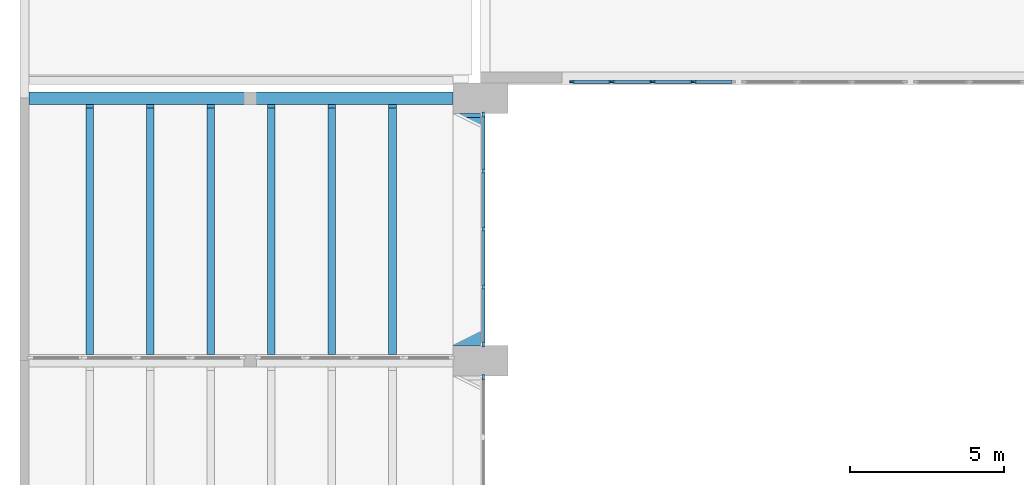
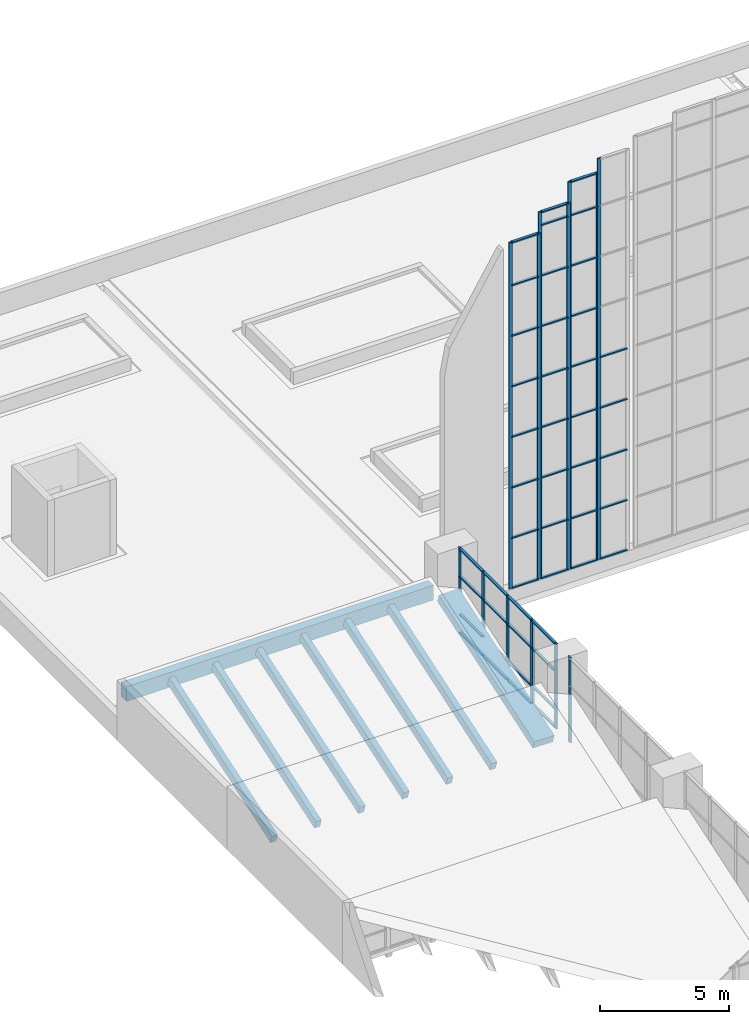
# One storey, part 15 of 43: 60 members, 8 beams, 6 elements without a shape of their own.
"""IFC4 building model written with IfcOpenShell, lengths in metres."""

import ifcopenshell
import ifcopenshell.guid

model = None  # the IFC model being written
_history = None  # IfcOwnerHistory: only IFC2X3 demands one
_inside = {}  # id of a spatial element -> (the spatial element, [elements in it])
_under = {}  # id of a project, library or spatial element -> (it, [spatial elements below it])
_declared = {}  # id of a project -> (the project, [libraries it declares])
_typed = {}  # id of a type object -> (the type object, [elements of that type])
_made_of = {}  # id of a material, layer set ... -> (it, [elements and type objects made of it])


def new_model(schema):
    """Start an empty IFC model of exactly this schema.

    Asked for "IFC4X3", IfcOpenShell would pick the latest addendum, in which some entities
    have other attributes; the version numbers below select the first issue.
    IFC2X3 requires an IfcOwnerHistory on every rooted entity: one is made here for all.
    """
    global model, _history
    if schema == "IFC4X3":
        model = ifcopenshell.file(schema_version=(4, 3, 0, 0))
    else:
        model = ifcopenshell.file(schema=schema)
    _inside.clear()
    _under.clear()
    _declared.clear()
    _typed.clear()
    _made_of.clear()
    _history = None
    if model.schema == "IFC2X3":
        org = make("IfcOrganization", Name="unknown")
        user = make(
            "IfcPersonAndOrganization",
            ThePerson=make("IfcPerson", FamilyName="unknown"),
            TheOrganization=org,
        )
        app = make(
            "IfcApplication",
            ApplicationDeveloper=org,
            Version="unknown",
            ApplicationFullName="unknown",
            ApplicationIdentifier="unknown",
        )
        _history = make(
            "IfcOwnerHistory",
            OwningUser=user,
            OwningApplication=app,
            ChangeAction="ADDED",
            CreationDate=0,
        )
    return model


def make(cls, **values):
    """One entity of the class cls with the attributes given. An attribute that is None is left unset."""
    return model.create_entity(
        cls, **{name: value for name, value in values.items() if value is not None}
    )


def rooted(cls, **values):
    """An entity with a GlobalId (a new one), such as an element, a storey or a relation."""
    return make(cls, GlobalId=ifcopenshell.guid.new(), OwnerHistory=_history, **values)


def si_unit(unit_type, name, prefix=None):
    """IfcSIUnit, for example si_unit("LENGTHUNIT", "METRE", prefix="MILLI")."""
    return make("IfcSIUnit", UnitType=unit_type, Prefix=prefix, Name=name)


def assignment(units):
    """IfcUnitAssignment: the units of a project."""
    return None if units is None else make("IfcUnitAssignment", Units=units)


def point(xyz):
    """IfcCartesianPoint."""
    return None if xyz is None else make("IfcCartesianPoint", Coordinates=xyz)


def direction(xyz):
    """IfcDirection."""
    return None if xyz is None else make("IfcDirection", DirectionRatios=xyz)


def frame(location, z_axis=None, x_axis=None):
    """IfcAxis2Placement3D, a coordinate frame: its origin and axes. An axis left out is left unset."""
    return make(
        "IfcAxis2Placement3D",
        Location=point(location),
        Axis=direction(z_axis),
        RefDirection=direction(x_axis),
    )


def frame_2d(location, x_axis=None):
    """IfcAxis2Placement2D, a coordinate frame in the plane: its origin and x axis."""
    return make(
        "IfcAxis2Placement2D", Location=point(location), RefDirection=direction(x_axis)
    )


def origin():
    """The frame at (0, 0, 0) with its axes left unset."""
    return frame((0.0, 0.0, 0.0))


def origin_2d():
    """The frame at (0, 0) in the plane with its x axis left unset."""
    return frame_2d((0.0, 0.0))


def place(relative_to, where):
    """IfcLocalPlacement: puts the frame where relative to a parent placement (None: the world)."""
    return make(
        "IfcLocalPlacement", PlacementRelTo=relative_to, RelativePlacement=where
    )


def context(
    kind, dimensions, precision=None, world=None, true_north=None, identifier=None
):
    """IfcGeometricRepresentationContext, for example the 3D "Model" context."""
    return make(
        "IfcGeometricRepresentationContext",
        ContextIdentifier=identifier,
        ContextType=kind,
        CoordinateSpaceDimension=dimensions,
        Precision=precision,
        WorldCoordinateSystem=world,
        TrueNorth=true_north,
    )


def subcontext(parent, identifier, kind, view, scale=None):
    """IfcGeometricRepresentationSubContext, for example "Body" below "Model"."""
    return make(
        "IfcGeometricRepresentationSubContext",
        ContextIdentifier=identifier,
        ContextType=kind,
        ParentContext=parent,
        TargetScale=scale,
        TargetView=view,
    )


def project(units=None, contexts=None):
    """IfcProject with its units and contexts."""
    return rooted(
        "IfcProject",
        Name="project",
        RepresentationContexts=contexts,
        UnitsInContext=assignment(units),
    )


def spatial(cls, under=None, at=None, **own):
    """A site, building, storey or space (cls), placed at a placement, below another one or the project."""
    s = rooted(cls, ObjectPlacement=at, **own)
    if under is not None:
        _under.setdefault(under.id(), (under, []))[1].append(s)
    return s


def profile(cls, at=None, kind="AREA", **sizes):
    """A parametric profile (cls). Its sizes go by their IFC names, for example OverallWidth=200.0."""
    return make(cls, ProfileType=kind, Position=at, **sizes)


def rectangle(**sizes):
    """IfcRectangleProfileDef."""
    return profile("IfcRectangleProfileDef", **sizes)


def extrude(swept, where, along, depth):
    """IfcExtrudedAreaSolid: the profile swept, set in the frame where, extruded along a direction by depth."""
    return make(
        "IfcExtrudedAreaSolid",
        SweptArea=swept,
        Position=where,
        ExtrudedDirection=direction(along),
        Depth=depth,
    )


def shape(context_of_items, identifier, shape_type, items):
    """IfcShapeRepresentation: the items that make up one representation, for example the "Body"."""
    return make(
        "IfcShapeRepresentation",
        ContextOfItems=context_of_items,
        RepresentationIdentifier=identifier,
        RepresentationType=shape_type,
        Items=items,
    )


def material(Name=None, Category=None):
    """IfcMaterial."""
    return make("IfcMaterial", Name=Name, Category=Category)


def material_profile(
    of_material, cross_section, Name=None, Category=None, Priority=None
):
    """IfcMaterialProfile: a cross section and its material."""
    return make(
        "IfcMaterialProfile",
        Name=Name,
        Material=of_material,
        Profile=cross_section,
        Priority=Priority,
        Category=Category,
    )


def profile_set(profiles, Name=None, composite=None):
    """IfcMaterialProfileSet."""
    return make(
        "IfcMaterialProfileSet",
        Name=Name,
        MaterialProfiles=profiles,
        CompositeProfile=composite,
    )


def made_of(thing, what):
    """Note that an element or type object is made of a material, layer set ...; save() writes the relation."""
    if what is not None:
        _made_of.setdefault(what.id(), (what, []))[1].append(thing)
    return thing


def type_object(cls, material=None, **own):
    """A type object (cls), such as IfcWallType, which elements share."""
    return made_of(rooted(cls, **own), material)


def element(
    cls,
    number,
    at=None,
    inside=None,
    cuts=None,
    type_object=None,
    material=None,
    context=None,
    identifier="Body",
    shape_type=None,
    held_by="IfcProductDefinitionShape",
    body=None,
    shapes=None,
    **own,
):
    """One element of the class cls, such as IfcWall. Its Tag is "e" and its number.

    at: its placement. inside: the storey or other place that contains it. cuts: it is an
    opening in that element (IfcRelVoidsElement). A single representation is given by context,
    identifier, shape_type and body (its items); several are given by shapes. held_by: the class
    of the entity that holds the representations. save() writes the other relations.
    """
    e = rooted(cls, Tag="e%d" % number, ObjectPlacement=at, **own)
    if body is not None:
        shapes = [shape(context, identifier, shape_type, body)]
    if shapes is not None:
        e.Representation = make(held_by, Representations=shapes)
    if inside is not None:
        _inside.setdefault(inside.id(), (inside, []))[1].append(e)
    if cuts is not None:
        rooted(
            "IfcRelVoidsElement", RelatingBuildingElement=cuts, RelatedOpeningElement=e
        )
    if type_object is not None:
        _typed.setdefault(type_object.id(), (type_object, []))[1].append(e)
    return made_of(e, material)


def aggregate(whole, parts):
    """IfcRelAggregates: a whole, such as a stair, and the parts it consists of."""
    return rooted("IfcRelAggregates", RelatingObject=whole, RelatedObjects=parts)


def save(model, path):
    """Write the relations noted so far, then the file.

    IfcRelAggregates (storeys below a building ...), IfcRelContainedInSpatialStructure (elements
    in a storey), IfcRelDefinesByType, IfcRelAssociatesMaterial and IfcRelDeclares: one each for
    every whole, place, type object, material and project.
    """
    for whole, parts in _under.values():
        aggregate(whole, parts)
    for where, things in _inside.values():
        rooted(
            "IfcRelContainedInSpatialStructure",
            RelatedElements=things,
            RelatingStructure=where,
        )
    for kind, things in _typed.values():
        rooted("IfcRelDefinesByType", RelatedObjects=things, RelatingType=kind)
    for what, things in _made_of.values():
        rooted("IfcRelAssociatesMaterial", RelatedObjects=things, RelatingMaterial=what)
    for by, libraries in _declared.values():
        rooted("IfcRelDeclares", RelatingContext=by, RelatedDefinitions=libraries)
    model.write(path)


model = new_model("IFC4")

# Units and contexts
model_context = context("Model", 3, precision=1e-05, world=origin(), true_north=direction((0.0, 1.0)))
body_context = subcontext(model_context, "Body", "Model", "MODEL_VIEW")
ifc_project = project(units=[si_unit("LENGTHUNIT", "METRE"), si_unit("AREAUNIT", "SQUARE_METRE"), si_unit("VOLUMEUNIT", "CUBIC_METRE"), si_unit("PLANEANGLEUNIT", "RADIAN"), si_unit("MASSUNIT", "GRAM", prefix="KILO")], contexts=[model_context])

# Site, building, storey
site_placement = place(None, origin())
site = spatial("IfcSite", under=ifc_project, at=site_placement, CompositionType="ELEMENT")
building_placement = place(site_placement, origin())
building = spatial("IfcBuilding", under=site, at=building_placement, Name="Elmora Arch Market Hall", CompositionType="ELEMENT")
storey_placement = place(building_placement, frame((0.0, 0.0, 10.199951171875)))
storey = spatial("IfcBuildingStorey", under=building, at=storey_placement, Name="L02", CompositionType="ELEMENT", Elevation=10.199951171875)

# Curtain wall, members
ifc_material_1 = material(Name="Aluminium", Category="aluminium")
curtain_wall_type_1 = type_object("IfcCurtainWallType", Name="Gable curtain wall", PredefinedType="NOTDEFINED", material=ifc_material_1)
curtain_wall_1_placement = place(storey_placement, origin())
curtain_wall_1 = element("IfcCurtainWall", 1, at=curtain_wall_1_placement, inside=storey, type_object=curtain_wall_type_1, Name="North gable glazing 1", PredefinedType="NOTDEFINED")
ifc_material_2 = material(Name="Aluminium", Category="aluminium")
ifc_material_profile_1 = material_profile(ifc_material_2, rectangle(XDim=0.06005859375, YDim=0.159912109375, at=origin_2d()), Name="AL 60x160")
ifc_profile_set_1 = profile_set([ifc_material_profile_1], Name="Aluminium")
member_type_1 = type_object("IfcMemberType", Name="Mullion 60x160", PredefinedType="MULLION", material=ifc_profile_set_1)
member_1_placement = place(storey_placement, frame((17.97998046875, 99.080078125, 0.60009765625), z_axis=(0.0, 0.0, 1.0), x_axis=(0.0, 1.0, 0.0)))
member_1 = element("IfcMember", 2, at=member_1_placement, type_object=member_type_1, Name="CW8 mullion 1", PredefinedType="MULLION", context=body_context, shape_type="SweptSolid", body=[
    extrude(rectangle(XDim=0.06005859375, YDim=0.159912109375, at=origin_2d()), origin(), (0.0, 0.0, 1.0), 16.4580078125),
])
member_2_placement = place(storey_placement, frame((19.2451171875, 99.080078125, 0.60009765625), z_axis=(0.0, 0.0, 1.0), x_axis=(0.0, 1.0, 0.0)))
member_2 = element("IfcMember", 3, at=member_2_placement, type_object=member_type_1, Name="CW8 mullion 2", PredefinedType="MULLION", context=body_context, shape_type="SweptSolid", body=[
    extrude(rectangle(XDim=0.06005859375, YDim=0.159912109375, at=origin_2d()), origin(), (0.0, 0.0, 1.0), 16.4580078125),
])

curtain_wall_2_placement = place(storey_placement, origin())
curtain_wall_2 = element("IfcCurtainWall", 4, at=curtain_wall_2_placement, inside=storey, type_object=curtain_wall_type_1, Name="North gable glazing 2", PredefinedType="NOTDEFINED")
member_3_placement = place(storey_placement, frame((19.304931640625, 99.080078125, 0.60009765625), z_axis=(0.0, 0.0, 1.0), x_axis=(0.0, 1.0, 0.0)))
member_3 = element("IfcMember", 5, at=member_3_placement, type_object=member_type_1, Name="CW8 mullion 1", PredefinedType="MULLION", context=body_context, shape_type="SweptSolid", body=[
    extrude(rectangle(XDim=0.06005859375, YDim=0.159912109375, at=origin_2d()), origin(), (0.0, 0.0, 1.0), 17.431884765625),
])
member_4_placement = place(storey_placement, frame((20.570068359375, 99.080078125, 0.60009765625), z_axis=(0.0, 0.0, 1.0), x_axis=(0.0, 1.0, 0.0)))
member_4 = element("IfcMember", 6, at=member_4_placement, type_object=member_type_1, Name="CW8 mullion 2", PredefinedType="MULLION", context=body_context, shape_type="SweptSolid", body=[
    extrude(rectangle(XDim=0.06005859375, YDim=0.159912109375, at=origin_2d()), origin(), (0.0, 0.0, 1.0), 17.431884765625),
])

curtain_wall_3_placement = place(storey_placement, origin())
curtain_wall_3 = element("IfcCurtainWall", 7, at=curtain_wall_3_placement, inside=storey, type_object=curtain_wall_type_1, Name="North gable glazing 3", PredefinedType="NOTDEFINED")
member_5_placement = place(storey_placement, frame((20.6298828125, 99.080078125, 0.60009765625), z_axis=(0.0, 0.0, 1.0), x_axis=(0.0, 1.0, 0.0)))
member_5 = element("IfcMember", 8, at=member_5_placement, type_object=member_type_1, Name="CW8 mullion 1", PredefinedType="MULLION", context=body_context, shape_type="SweptSolid", body=[
    extrude(rectangle(XDim=0.06005859375, YDim=0.159912109375, at=origin_2d()), origin(), (0.0, 0.0, 1.0), 18.406982421875),
])
member_6_placement = place(storey_placement, frame((21.89501953125, 99.080078125, 0.60009765625), z_axis=(0.0, 0.0, 1.0), x_axis=(0.0, 1.0, 0.0)))
member_6 = element("IfcMember", 9, at=member_6_placement, type_object=member_type_1, Name="CW8 mullion 2", PredefinedType="MULLION", context=body_context, shape_type="SweptSolid", body=[
    extrude(rectangle(XDim=0.06005859375, YDim=0.159912109375, at=origin_2d()), origin(), (0.0, 0.0, 1.0), 18.406982421875),
])

# Curtain wall, member
curtain_wall_4_placement = place(storey_placement, origin())
curtain_wall_4 = element("IfcCurtainWall", 10, at=curtain_wall_4_placement, inside=storey, type_object=curtain_wall_type_1, Name="North gable glazing 4", PredefinedType="NOTDEFINED")
member_7_placement = place(storey_placement, frame((21.955078125, 99.080078125, 0.60009765625), z_axis=(0.0, 0.0, 1.0), x_axis=(0.0, 1.0, 0.0)))
member_7 = element("IfcMember", 11, at=member_7_placement, type_object=member_type_1, Name="CW8 mullion 1", PredefinedType="MULLION", context=body_context, shape_type="SweptSolid", body=[
    extrude(rectangle(XDim=0.06005859375, YDim=0.159912109375, at=origin_2d()), origin(), (0.0, 0.0, 1.0), 19.044921875),
])

ifc_material_3 = material(Name="Aluminium", Category="aluminium")
curtain_wall_type_2 = type_object("IfcCurtainWallType", Name="Hall front curtain wall", PredefinedType="NOTDEFINED", material=ifc_material_3)
curtain_wall_5_placement = place(storey_placement, origin())
curtain_wall_5 = element("IfcCurtainWall", 12, at=curtain_wall_5_placement, inside=storey, type_object=curtain_wall_type_2, Name="Hall west glazing L02 7", PredefinedType="NOTDEFINED")
ifc_material_4 = material(Name="Aluminium", Category="aluminium")
ifc_material_profile_2 = material_profile(ifc_material_4, rectangle(XDim=0.080078125, YDim=0.179931640625, at=origin_2d()), Name="AL 80x180")
ifc_profile_set_2 = profile_set([ifc_material_profile_2], Name="Aluminium")
member_type_2 = type_object("IfcMemberType", Name="Mullion 80x180", PredefinedType="MULLION", material=ifc_profile_set_2)
member_8_placement = place(storey_placement, frame((15.090087890625, 89.4599609375, 0.166748046875), z_axis=(0.0, 0.0, 1.0), x_axis=(-1.0, 0.0, 0.0)))
member_8 = element("IfcMember", 13, at=member_8_placement, type_object=member_type_2, Name="CW2 mullion 5", PredefinedType="MULLION", context=body_context, shape_type="SweptSolid", body=[
    extrude(rectangle(XDim=0.080078125, YDim=0.179931640625, at=origin_2d()), origin(), (0.0, 0.0, 1.0), 4.033203125),
])
aggregate(curtain_wall_5, [member_8])

# Curtain wall, members
curtain_wall_6_placement = place(storey_placement, origin())
curtain_wall_6 = element("IfcCurtainWall", 14, at=curtain_wall_6_placement, inside=storey, type_object=curtain_wall_type_2, Name="Hall west glazing L02 8", PredefinedType="NOTDEFINED")
member_9_placement = place(storey_placement, frame((15.090087890625, 90.5400390625, 0.166748046875), z_axis=(0.0, 0.0, 1.0), x_axis=(-1.0, 0.0, 0.0)))
member_9 = element("IfcMember", 15, at=member_9_placement, type_object=member_type_2, Name="CW2 mullion 1", PredefinedType="MULLION", context=body_context, shape_type="SweptSolid", body=[
    extrude(rectangle(XDim=0.080078125, YDim=0.179931640625, at=origin_2d()), origin(), (0.0, 0.0, 1.0), 4.033203125),
])
member_10_placement = place(storey_placement, frame((15.090087890625, 92.387451171875, 0.166748046875), z_axis=(0.0, 0.0, 1.0), x_axis=(-1.0, 0.0, 0.0)))
member_10 = element("IfcMember", 16, at=member_10_placement, type_object=member_type_2, Name="CW2 mullion 2", PredefinedType="MULLION", context=body_context, shape_type="SweptSolid", body=[
    extrude(rectangle(XDim=0.080078125, YDim=0.179931640625, at=origin_2d()), origin(), (0.0, 0.0, 1.0), 4.033203125),
])
member_11_placement = place(storey_placement, frame((15.090087890625, 94.27490234375, 0.166748046875), z_axis=(0.0, 0.0, 1.0), x_axis=(-1.0, 0.0, 0.0)))
member_11 = element("IfcMember", 17, at=member_11_placement, type_object=member_type_2, Name="CW2 mullion 3", PredefinedType="MULLION", context=body_context, shape_type="SweptSolid", body=[
    extrude(rectangle(XDim=0.080078125, YDim=0.179931640625, at=origin_2d()), origin(), (0.0, 0.0, 1.0), 4.033203125),
])
member_12_placement = place(storey_placement, frame((15.090087890625, 96.16259765625, 0.166748046875), z_axis=(0.0, 0.0, 1.0), x_axis=(-1.0, 0.0, 0.0)))
member_12 = element("IfcMember", 18, at=member_12_placement, type_object=member_type_2, Name="CW2 mullion 4", PredefinedType="MULLION", context=body_context, shape_type="SweptSolid", body=[
    extrude(rectangle(XDim=0.080078125, YDim=0.179931640625, at=origin_2d()), origin(), (0.0, 0.0, 1.0), 4.033203125),
])
member_13_placement = place(storey_placement, frame((15.090087890625, 98.010009765625, 0.166748046875), z_axis=(0.0, 0.0, 1.0), x_axis=(-1.0, 0.0, 0.0)))
member_13 = element("IfcMember", 19, at=member_13_placement, type_object=member_type_2, Name="CW2 mullion 5", PredefinedType="MULLION", context=body_context, shape_type="SweptSolid", body=[
    extrude(rectangle(XDim=0.080078125, YDim=0.179931640625, at=origin_2d()), origin(), (0.0, 0.0, 1.0), 4.033203125),
])

# Beams
ifc_material_5 = material(Name="Concrete C32/40", Category="concrete")
ifc_material_profile_3 = material_profile(ifc_material_5, rectangle(XDim=0.39990234375, YDim=0.699951171875, at=origin_2d()), Name="Ridge beam 400x700")
ifc_profile_set_3 = profile_set([ifc_material_profile_3], Name="Concrete C32/40")
beam_type_1 = type_object("IfcBeamType", Name="Ridge beam 400x700", PredefinedType="BEAM", material=ifc_profile_set_3)
beam_1_placement = place(storey_placement, frame((0.300048828125, 98.550048828125, 2.199951171875), z_axis=(1.0, 0.0, 0.0), x_axis=(0.0, 1.0, 0.0)))
element("IfcBeam", 20, at=beam_1_placement, inside=storey, type_object=beam_type_1, Name="Ridge beam RB8 L02.1", PredefinedType="BEAM", context=body_context, shape_type="SweptSolid", body=[
    extrude(rectangle(XDim=0.39990234375, YDim=0.699951171875, at=origin_2d()), origin(), (0.0, 0.0, 1.0), 13.800048828125),
])
ifc_material_6 = material(Name="Concrete C32/40", Category="concrete")
ifc_material_profile_4 = material_profile(ifc_material_6, rectangle(XDim=0.89990234375, YDim=0.39990234375, at=origin_2d()), Name="Sawtooth edge beam 900x400")
ifc_profile_set_4 = profile_set([ifc_material_profile_4], Name="Concrete C32/40")
beam_type_2 = type_object("IfcBeamType", Name="Sawtooth edge beam 900x400", PredefinedType="BEAM", material=ifc_profile_set_4)
beam_2_placement = place(storey_placement, frame((14.550048828125, 90.563232421875, -0.322998046875), z_axis=(0.0, 0.948689537808, 0.31620904613), x_axis=(-1.0, 0.0, 0.0)))
element("IfcBeam", 21, at=beam_2_placement, inside=storey, type_object=beam_type_2, Name="Sawtooth edge beam 8", PredefinedType="BEAM", context=body_context, shape_type="SweptSolid", body=[
    extrude(rectangle(XDim=0.89990234375, YDim=0.39990234375, at=origin_2d()), origin(), (0.0, 0.0, 1.0), 7.8251953125),
])
ifc_material_7 = material(Name="Concrete C32/40", Category="concrete")
ifc_material_profile_5 = material_profile(ifc_material_7, rectangle(XDim=0.25, YDim=0.39990234375, at=origin_2d()), Name="Sawtooth rafter 250x400")
ifc_profile_set_5 = profile_set([ifc_material_profile_5], Name="Concrete C32/40")
beam_type_3 = type_object("IfcBeamType", Name="Sawtooth rafter 250x400", PredefinedType="BEAM", material=ifc_profile_set_5)
for number, where, z_axis, x_axis, name in (
    (22, (2.271484375, 90.26318359375, -0.443115234375), (0.0, 0.948683298051, 0.316227766017), (-1.0, 0.0, 0.0), "Sawtooth rafter 8.1"),
    (23, (4.242919921875, 90.26318359375, -0.443115234375), (0.0, 0.948683298051, 0.316227766017), (-1.0, 0.0, 0.0), "Sawtooth rafter 8.2"),
    (24, (6.21435546875, 90.26318359375, -0.443115234375), (0.0, 0.948683298051, 0.316227766017), (-1.0, 0.0, 0.0), "Sawtooth rafter 8.3"),
    (25, (8.185791015625, 90.26318359375, -0.443115234375), (0.0, 0.948683298051, 0.316227766017), (-1.0, 0.0, 0.0), "Sawtooth rafter 8.4"),
    (26, (10.156982421875, 90.26318359375, -0.443115234375), (0.0, 0.948683298051, 0.316227766017), (-1.0, 0.0, 0.0), "Sawtooth rafter 8.5"),
    (27, (12.128662109375, 90.26318359375, -0.443115234375), (0.0, 0.948683298051, 0.316227766017), (-1.0, 0.0, 0.0), "Sawtooth rafter 8.6"),
):
    element("IfcBeam", number, at=place(storey_placement, frame(where, z_axis=z_axis, x_axis=x_axis)), inside=storey, type_object=beam_type_3, Name=name, PredefinedType="BEAM", context=body_context, shape_type="SweptSolid", body=[
        extrude(rectangle(XDim=0.25, YDim=0.39990234375, at=origin_2d()), origin(), (0.0, 0.0, 1.0), 8.457763671875),
    ])

# Member
ifc_material_8 = material(Name="Aluminium", Category="aluminium")
ifc_material_profile_6 = material_profile(ifc_material_8, rectangle(XDim=0.1201171875, YDim=0.06005859375, at=origin_2d()), Name="AL 120x60")
ifc_profile_set_6 = profile_set([ifc_material_profile_6], Name="Aluminium")
member_type_3 = type_object("IfcMemberType", Name="Transom 120x60", PredefinedType="USERDEFINED", material=ifc_profile_set_6)
member_14_placement = place(storey_placement, frame((18.010009765625, 99.080078125, 0.630126953125), z_axis=(1.0, 0.0, 0.0), x_axis=(0.0, 1.0, 0.0)))
member_14 = element("IfcMember", 28, at=member_14_placement, type_object=member_type_3, Name="CW8 transom 1.1", ObjectType="TRANSOM", PredefinedType="USERDEFINED", context=body_context, shape_type="SweptSolid", body=[
    extrude(rectangle(XDim=0.1201171875, YDim=0.06005859375, at=origin_2d()), origin(), (0.0, 0.0, 1.0), 1.205078125),
])

member_15_placement = place(storey_placement, frame((18.010009765625, 99.080078125, 3.0), z_axis=(1.0, 0.0, 0.0), x_axis=(0.0, 1.0, 0.0)))
member_15 = element("IfcMember", 29, at=member_15_placement, type_object=member_type_3, Name="CW8 transom 1.2", ObjectType="TRANSOM", PredefinedType="USERDEFINED", context=body_context, shape_type="SweptSolid", body=[
    extrude(rectangle(XDim=0.1201171875, YDim=0.06005859375, at=origin_2d()), origin(), (0.0, 0.0, 1.0), 1.205078125),
])

member_16_placement = place(storey_placement, frame((18.010009765625, 99.080078125, 5.400146484375), z_axis=(1.0, 0.0, 0.0), x_axis=(0.0, 1.0, 0.0)))
member_16 = element("IfcMember", 30, at=member_16_placement, type_object=member_type_3, Name="CW8 transom 1.3", ObjectType="TRANSOM", PredefinedType="USERDEFINED", context=body_context, shape_type="SweptSolid", body=[
    extrude(rectangle(XDim=0.1201171875, YDim=0.06005859375, at=origin_2d()), origin(), (0.0, 0.0, 1.0), 1.205078125),
])

member_17_placement = place(storey_placement, frame((18.010009765625, 99.080078125, 7.800048828125), z_axis=(1.0, 0.0, 0.0), x_axis=(0.0, 1.0, 0.0)))
member_17 = element("IfcMember", 31, at=member_17_placement, type_object=member_type_3, Name="CW8 transom 1.4", ObjectType="TRANSOM", PredefinedType="USERDEFINED", context=body_context, shape_type="SweptSolid", body=[
    extrude(rectangle(XDim=0.1201171875, YDim=0.06005859375, at=origin_2d()), origin(), (0.0, 0.0, 1.0), 1.205078125),
])

member_18_placement = place(storey_placement, frame((18.010009765625, 99.080078125, 10.199951171875), z_axis=(1.0, 0.0, 0.0), x_axis=(0.0, 1.0, 0.0)))
member_18 = element("IfcMember", 32, at=member_18_placement, type_object=member_type_3, Name="CW8 transom 1.5", ObjectType="TRANSOM", PredefinedType="USERDEFINED", context=body_context, shape_type="SweptSolid", body=[
    extrude(rectangle(XDim=0.1201171875, YDim=0.06005859375, at=origin_2d()), origin(), (0.0, 0.0, 1.0), 1.205078125),
])

member_19_placement = place(storey_placement, frame((18.010009765625, 99.080078125, 12.60009765625), z_axis=(1.0, 0.0, 0.0), x_axis=(0.0, 1.0, 0.0)))
member_19 = element("IfcMember", 33, at=member_19_placement, type_object=member_type_3, Name="CW8 transom 1.6", ObjectType="TRANSOM", PredefinedType="USERDEFINED", context=body_context, shape_type="SweptSolid", body=[
    extrude(rectangle(XDim=0.1201171875, YDim=0.06005859375, at=origin_2d()), origin(), (0.0, 0.0, 1.0), 1.205078125),
])

member_20_placement = place(storey_placement, frame((18.010009765625, 99.080078125, 15.0), z_axis=(1.0, 0.0, 0.0), x_axis=(0.0, 1.0, 0.0)))
member_20 = element("IfcMember", 34, at=member_20_placement, type_object=member_type_3, Name="CW8 transom 1.7", ObjectType="TRANSOM", PredefinedType="USERDEFINED", context=body_context, shape_type="SweptSolid", body=[
    extrude(rectangle(XDim=0.1201171875, YDim=0.06005859375, at=origin_2d()), origin(), (0.0, 0.0, 1.0), 1.205078125),
])

member_21_placement = place(storey_placement, frame((18.010009765625, 99.080078125, 17.028076171875), z_axis=(1.0, 0.0, 0.0), x_axis=(0.0, 1.0, 0.0)))
member_21 = element("IfcMember", 35, at=member_21_placement, type_object=member_type_3, Name="CW8 transom 1.8", ObjectType="TRANSOM", PredefinedType="USERDEFINED", context=body_context, shape_type="SweptSolid", body=[
    extrude(rectangle(XDim=0.1201171875, YDim=0.06005859375, at=origin_2d()), origin(), (0.0, 0.0, 1.0), 1.205078125),
])

aggregate(curtain_wall_1, [member_1, member_2, member_14, member_15, member_16, member_17, member_18, member_19, member_20, member_21])

member_22_placement = place(storey_placement, frame((19.3349609375, 99.080078125, 0.630126953125), z_axis=(1.0, 0.0, 0.0), x_axis=(0.0, 1.0, 0.0)))
member_22 = element("IfcMember", 36, at=member_22_placement, type_object=member_type_3, Name="CW8 transom 1.1", ObjectType="TRANSOM", PredefinedType="USERDEFINED", context=body_context, shape_type="SweptSolid", body=[
    extrude(rectangle(XDim=0.1201171875, YDim=0.06005859375, at=origin_2d()), origin(), (0.0, 0.0, 1.0), 1.205078125),
])

member_23_placement = place(storey_placement, frame((19.3349609375, 99.080078125, 3.0), z_axis=(1.0, 0.0, 0.0), x_axis=(0.0, 1.0, 0.0)))
member_23 = element("IfcMember", 37, at=member_23_placement, type_object=member_type_3, Name="CW8 transom 1.2", ObjectType="TRANSOM", PredefinedType="USERDEFINED", context=body_context, shape_type="SweptSolid", body=[
    extrude(rectangle(XDim=0.1201171875, YDim=0.06005859375, at=origin_2d()), origin(), (0.0, 0.0, 1.0), 1.205078125),
])

member_24_placement = place(storey_placement, frame((19.3349609375, 99.080078125, 5.400146484375), z_axis=(1.0, 0.0, 0.0), x_axis=(0.0, 1.0, 0.0)))
member_24 = element("IfcMember", 38, at=member_24_placement, type_object=member_type_3, Name="CW8 transom 1.3", ObjectType="TRANSOM", PredefinedType="USERDEFINED", context=body_context, shape_type="SweptSolid", body=[
    extrude(rectangle(XDim=0.1201171875, YDim=0.06005859375, at=origin_2d()), origin(), (0.0, 0.0, 1.0), 1.205078125),
])

member_25_placement = place(storey_placement, frame((19.3349609375, 99.080078125, 7.800048828125), z_axis=(1.0, 0.0, 0.0), x_axis=(0.0, 1.0, 0.0)))
member_25 = element("IfcMember", 39, at=member_25_placement, type_object=member_type_3, Name="CW8 transom 1.4", ObjectType="TRANSOM", PredefinedType="USERDEFINED", context=body_context, shape_type="SweptSolid", body=[
    extrude(rectangle(XDim=0.1201171875, YDim=0.06005859375, at=origin_2d()), origin(), (0.0, 0.0, 1.0), 1.205078125),
])

member_26_placement = place(storey_placement, frame((19.3349609375, 99.080078125, 10.199951171875), z_axis=(1.0, 0.0, 0.0), x_axis=(0.0, 1.0, 0.0)))
member_26 = element("IfcMember", 40, at=member_26_placement, type_object=member_type_3, Name="CW8 transom 1.5", ObjectType="TRANSOM", PredefinedType="USERDEFINED", context=body_context, shape_type="SweptSolid", body=[
    extrude(rectangle(XDim=0.1201171875, YDim=0.06005859375, at=origin_2d()), origin(), (0.0, 0.0, 1.0), 1.205078125),
])

member_27_placement = place(storey_placement, frame((19.3349609375, 99.080078125, 12.60009765625), z_axis=(1.0, 0.0, 0.0), x_axis=(0.0, 1.0, 0.0)))
member_27 = element("IfcMember", 41, at=member_27_placement, type_object=member_type_3, Name="CW8 transom 1.6", ObjectType="TRANSOM", PredefinedType="USERDEFINED", context=body_context, shape_type="SweptSolid", body=[
    extrude(rectangle(XDim=0.1201171875, YDim=0.06005859375, at=origin_2d()), origin(), (0.0, 0.0, 1.0), 1.205078125),
])

member_28_placement = place(storey_placement, frame((19.3349609375, 99.080078125, 15.0), z_axis=(1.0, 0.0, 0.0), x_axis=(0.0, 1.0, 0.0)))
member_28 = element("IfcMember", 42, at=member_28_placement, type_object=member_type_3, Name="CW8 transom 1.7", ObjectType="TRANSOM", PredefinedType="USERDEFINED", context=body_context, shape_type="SweptSolid", body=[
    extrude(rectangle(XDim=0.1201171875, YDim=0.06005859375, at=origin_2d()), origin(), (0.0, 0.0, 1.0), 1.205078125),
])

member_29_placement = place(storey_placement, frame((19.3349609375, 99.080078125, 17.400146484375), z_axis=(1.0, 0.0, 0.0), x_axis=(0.0, 1.0, 0.0)))
member_29 = element("IfcMember", 43, at=member_29_placement, type_object=member_type_3, Name="CW8 transom 1.8", ObjectType="TRANSOM", PredefinedType="USERDEFINED", context=body_context, shape_type="SweptSolid", body=[
    extrude(rectangle(XDim=0.1201171875, YDim=0.06005859375, at=origin_2d()), origin(), (0.0, 0.0, 1.0), 1.205078125),
])

member_30_placement = place(storey_placement, frame((19.3349609375, 99.080078125, 18.001953125), z_axis=(1.0, 0.0, 0.0), x_axis=(0.0, 1.0, 0.0)))
member_30 = element("IfcMember", 44, at=member_30_placement, type_object=member_type_3, Name="CW8 transom 1.9", ObjectType="TRANSOM", PredefinedType="USERDEFINED", context=body_context, shape_type="SweptSolid", body=[
    extrude(rectangle(XDim=0.1201171875, YDim=0.06005859375, at=origin_2d()), origin(), (0.0, 0.0, 1.0), 1.205078125),
])

aggregate(curtain_wall_2, [member_3, member_4, member_22, member_23, member_24, member_25, member_26, member_27, member_28, member_29, member_30])

member_31_placement = place(storey_placement, frame((20.659912109375, 99.080078125, 0.630126953125), z_axis=(1.0, 0.0, 0.0), x_axis=(0.0, 1.0, 0.0)))
member_31 = element("IfcMember", 45, at=member_31_placement, type_object=member_type_3, Name="CW8 transom 1.1", ObjectType="TRANSOM", PredefinedType="USERDEFINED", context=body_context, shape_type="SweptSolid", body=[
    extrude(rectangle(XDim=0.1201171875, YDim=0.06005859375, at=origin_2d()), origin(), (0.0, 0.0, 1.0), 1.205078125),
])

member_32_placement = place(storey_placement, frame((20.659912109375, 99.080078125, 3.0), z_axis=(1.0, 0.0, 0.0), x_axis=(0.0, 1.0, 0.0)))
member_32 = element("IfcMember", 46, at=member_32_placement, type_object=member_type_3, Name="CW8 transom 1.2", ObjectType="TRANSOM", PredefinedType="USERDEFINED", context=body_context, shape_type="SweptSolid", body=[
    extrude(rectangle(XDim=0.1201171875, YDim=0.06005859375, at=origin_2d()), origin(), (0.0, 0.0, 1.0), 1.205078125),
])

member_33_placement = place(storey_placement, frame((20.659912109375, 99.080078125, 5.400146484375), z_axis=(1.0, 0.0, 0.0), x_axis=(0.0, 1.0, 0.0)))
member_33 = element("IfcMember", 47, at=member_33_placement, type_object=member_type_3, Name="CW8 transom 1.3", ObjectType="TRANSOM", PredefinedType="USERDEFINED", context=body_context, shape_type="SweptSolid", body=[
    extrude(rectangle(XDim=0.1201171875, YDim=0.06005859375, at=origin_2d()), origin(), (0.0, 0.0, 1.0), 1.205078125),
])

member_34_placement = place(storey_placement, frame((20.659912109375, 99.080078125, 7.800048828125), z_axis=(1.0, 0.0, 0.0), x_axis=(0.0, 1.0, 0.0)))
member_34 = element("IfcMember", 48, at=member_34_placement, type_object=member_type_3, Name="CW8 transom 1.4", ObjectType="TRANSOM", PredefinedType="USERDEFINED", context=body_context, shape_type="SweptSolid", body=[
    extrude(rectangle(XDim=0.1201171875, YDim=0.06005859375, at=origin_2d()), origin(), (0.0, 0.0, 1.0), 1.205078125),
])

member_35_placement = place(storey_placement, frame((20.659912109375, 99.080078125, 10.199951171875), z_axis=(1.0, 0.0, 0.0), x_axis=(0.0, 1.0, 0.0)))
member_35 = element("IfcMember", 49, at=member_35_placement, type_object=member_type_3, Name="CW8 transom 1.5", ObjectType="TRANSOM", PredefinedType="USERDEFINED", context=body_context, shape_type="SweptSolid", body=[
    extrude(rectangle(XDim=0.1201171875, YDim=0.06005859375, at=origin_2d()), origin(), (0.0, 0.0, 1.0), 1.205078125),
])

member_36_placement = place(storey_placement, frame((20.659912109375, 99.080078125, 12.60009765625), z_axis=(1.0, 0.0, 0.0), x_axis=(0.0, 1.0, 0.0)))
member_36 = element("IfcMember", 50, at=member_36_placement, type_object=member_type_3, Name="CW8 transom 1.6", ObjectType="TRANSOM", PredefinedType="USERDEFINED", context=body_context, shape_type="SweptSolid", body=[
    extrude(rectangle(XDim=0.1201171875, YDim=0.06005859375, at=origin_2d()), origin(), (0.0, 0.0, 1.0), 1.205078125),
])

member_37_placement = place(storey_placement, frame((20.659912109375, 99.080078125, 15.0), z_axis=(1.0, 0.0, 0.0), x_axis=(0.0, 1.0, 0.0)))
member_37 = element("IfcMember", 51, at=member_37_placement, type_object=member_type_3, Name="CW8 transom 1.7", ObjectType="TRANSOM", PredefinedType="USERDEFINED", context=body_context, shape_type="SweptSolid", body=[
    extrude(rectangle(XDim=0.1201171875, YDim=0.06005859375, at=origin_2d()), origin(), (0.0, 0.0, 1.0), 1.205078125),
])

member_38_placement = place(storey_placement, frame((20.659912109375, 99.080078125, 17.400146484375), z_axis=(1.0, 0.0, 0.0), x_axis=(0.0, 1.0, 0.0)))
member_38 = element("IfcMember", 52, at=member_38_placement, type_object=member_type_3, Name="CW8 transom 1.8", ObjectType="TRANSOM", PredefinedType="USERDEFINED", context=body_context, shape_type="SweptSolid", body=[
    extrude(rectangle(XDim=0.1201171875, YDim=0.06005859375, at=origin_2d()), origin(), (0.0, 0.0, 1.0), 1.205078125),
])

member_39_placement = place(storey_placement, frame((20.659912109375, 99.080078125, 18.97705078125), z_axis=(1.0, 0.0, 0.0), x_axis=(0.0, 1.0, 0.0)))
member_39 = element("IfcMember", 53, at=member_39_placement, type_object=member_type_3, Name="CW8 transom 1.9", ObjectType="TRANSOM", PredefinedType="USERDEFINED", context=body_context, shape_type="SweptSolid", body=[
    extrude(rectangle(XDim=0.1201171875, YDim=0.06005859375, at=origin_2d()), origin(), (0.0, 0.0, 1.0), 1.205078125),
])

aggregate(curtain_wall_3, [member_5, member_6, member_31, member_32, member_33, member_34, member_35, member_36, member_37, member_38, member_39])

member_40_placement = place(storey_placement, frame((21.985107421875, 99.080078125, 0.630126953125), z_axis=(1.0, 0.0, 0.0), x_axis=(0.0, 1.0, 0.0)))
member_40 = element("IfcMember", 54, at=member_40_placement, type_object=member_type_3, Name="CW8 transom 1.1", ObjectType="TRANSOM", PredefinedType="USERDEFINED", context=body_context, shape_type="SweptSolid", body=[
    extrude(rectangle(XDim=0.1201171875, YDim=0.06005859375, at=origin_2d()), origin(), (0.0, 0.0, 1.0), 1.204833984375),
])

member_41_placement = place(storey_placement, frame((21.985107421875, 99.080078125, 3.0), z_axis=(1.0, 0.0, 0.0), x_axis=(0.0, 1.0, 0.0)))
member_41 = element("IfcMember", 55, at=member_41_placement, type_object=member_type_3, Name="CW8 transom 1.2", ObjectType="TRANSOM", PredefinedType="USERDEFINED", context=body_context, shape_type="SweptSolid", body=[
    extrude(rectangle(XDim=0.1201171875, YDim=0.06005859375, at=origin_2d()), origin(), (0.0, 0.0, 1.0), 1.204833984375),
])

member_42_placement = place(storey_placement, frame((21.985107421875, 99.080078125, 5.400146484375), z_axis=(1.0, 0.0, 0.0), x_axis=(0.0, 1.0, 0.0)))
member_42 = element("IfcMember", 56, at=member_42_placement, type_object=member_type_3, Name="CW8 transom 1.3", ObjectType="TRANSOM", PredefinedType="USERDEFINED", context=body_context, shape_type="SweptSolid", body=[
    extrude(rectangle(XDim=0.1201171875, YDim=0.06005859375, at=origin_2d()), origin(), (0.0, 0.0, 1.0), 1.204833984375),
])

member_43_placement = place(storey_placement, frame((21.985107421875, 99.080078125, 7.800048828125), z_axis=(1.0, 0.0, 0.0), x_axis=(0.0, 1.0, 0.0)))
member_43 = element("IfcMember", 57, at=member_43_placement, type_object=member_type_3, Name="CW8 transom 1.4", ObjectType="TRANSOM", PredefinedType="USERDEFINED", context=body_context, shape_type="SweptSolid", body=[
    extrude(rectangle(XDim=0.1201171875, YDim=0.06005859375, at=origin_2d()), origin(), (0.0, 0.0, 1.0), 1.204833984375),
])

member_44_placement = place(storey_placement, frame((21.985107421875, 99.080078125, 10.199951171875), z_axis=(1.0, 0.0, 0.0), x_axis=(0.0, 1.0, 0.0)))
member_44 = element("IfcMember", 58, at=member_44_placement, type_object=member_type_3, Name="CW8 transom 1.5", ObjectType="TRANSOM", PredefinedType="USERDEFINED", context=body_context, shape_type="SweptSolid", body=[
    extrude(rectangle(XDim=0.1201171875, YDim=0.06005859375, at=origin_2d()), origin(), (0.0, 0.0, 1.0), 1.204833984375),
])

aggregate(curtain_wall_4, [member_7, member_40, member_41, member_42, member_43, member_44])

member_45_placement = place(storey_placement, frame((15.090087890625, 90.580078125, 0.19677734375), z_axis=(0.0, 1.0, 0.0), x_axis=(-1.0, 0.0, 0.0)))
member_45 = element("IfcMember", 59, at=member_45_placement, type_object=member_type_3, Name="CW2 transom 1.1", ObjectType="TRANSOM", PredefinedType="USERDEFINED", context=body_context, shape_type="SweptSolid", body=[
    extrude(rectangle(XDim=0.1201171875, YDim=0.06005859375, at=origin_2d()), origin(), (0.0, 0.0, 1.0), 1.767333984375),
])

member_46_placement = place(storey_placement, frame((15.090087890625, 90.580078125, 1.066650390625), z_axis=(0.0, 1.0, 0.0), x_axis=(-1.0, 0.0, 0.0)))
member_46 = element("IfcMember", 60, at=member_46_placement, type_object=member_type_3, Name="CW2 transom 1.2", ObjectType="TRANSOM", PredefinedType="USERDEFINED", context=body_context, shape_type="SweptSolid", body=[
    extrude(rectangle(XDim=0.1201171875, YDim=0.06005859375, at=origin_2d()), origin(), (0.0, 0.0, 1.0), 1.767333984375),
])

member_47_placement = place(storey_placement, frame((15.090087890625, 90.580078125, 2.86669921875), z_axis=(0.0, 1.0, 0.0), x_axis=(-1.0, 0.0, 0.0)))
member_47 = element("IfcMember", 61, at=member_47_placement, type_object=member_type_3, Name="CW2 transom 1.3", ObjectType="TRANSOM", PredefinedType="USERDEFINED", context=body_context, shape_type="SweptSolid", body=[
    extrude(rectangle(XDim=0.1201171875, YDim=0.06005859375, at=origin_2d()), origin(), (0.0, 0.0, 1.0), 1.767333984375),
])

member_48_placement = place(storey_placement, frame((15.090087890625, 90.580078125, 4.170166015625), z_axis=(0.0, 1.0, 0.0), x_axis=(-1.0, 0.0, 0.0)))
member_48 = element("IfcMember", 62, at=member_48_placement, type_object=member_type_3, Name="CW2 transom 1.4", ObjectType="TRANSOM", PredefinedType="USERDEFINED", context=body_context, shape_type="SweptSolid", body=[
    extrude(rectangle(XDim=0.1201171875, YDim=0.06005859375, at=origin_2d()), origin(), (0.0, 0.0, 1.0), 1.767333984375),
])

member_49_placement = place(storey_placement, frame((15.090087890625, 92.427490234375, 0.19677734375), z_axis=(0.0, 1.0, 0.0), x_axis=(-1.0, 0.0, 0.0)))
member_49 = element("IfcMember", 63, at=member_49_placement, type_object=member_type_3, Name="CW2 transom 2.1", ObjectType="TRANSOM", PredefinedType="USERDEFINED", context=body_context, shape_type="SweptSolid", body=[
    extrude(rectangle(XDim=0.1201171875, YDim=0.06005859375, at=origin_2d()), origin(), (0.0, 0.0, 1.0), 1.8076171875),
])

member_50_placement = place(storey_placement, frame((15.090087890625, 92.427490234375, 1.066650390625), z_axis=(0.0, 1.0, 0.0), x_axis=(-1.0, 0.0, 0.0)))
member_50 = element("IfcMember", 64, at=member_50_placement, type_object=member_type_3, Name="CW2 transom 2.2", ObjectType="TRANSOM", PredefinedType="USERDEFINED", context=body_context, shape_type="SweptSolid", body=[
    extrude(rectangle(XDim=0.1201171875, YDim=0.06005859375, at=origin_2d()), origin(), (0.0, 0.0, 1.0), 1.8076171875),
])

member_51_placement = place(storey_placement, frame((15.090087890625, 92.427490234375, 2.86669921875), z_axis=(0.0, 1.0, 0.0), x_axis=(-1.0, 0.0, 0.0)))
member_51 = element("IfcMember", 65, at=member_51_placement, type_object=member_type_3, Name="CW2 transom 2.3", ObjectType="TRANSOM", PredefinedType="USERDEFINED", context=body_context, shape_type="SweptSolid", body=[
    extrude(rectangle(XDim=0.1201171875, YDim=0.06005859375, at=origin_2d()), origin(), (0.0, 0.0, 1.0), 1.8076171875),
])

member_52_placement = place(storey_placement, frame((15.090087890625, 92.427490234375, 4.170166015625), z_axis=(0.0, 1.0, 0.0), x_axis=(-1.0, 0.0, 0.0)))
member_52 = element("IfcMember", 66, at=member_52_placement, type_object=member_type_3, Name="CW2 transom 2.4", ObjectType="TRANSOM", PredefinedType="USERDEFINED", context=body_context, shape_type="SweptSolid", body=[
    extrude(rectangle(XDim=0.1201171875, YDim=0.06005859375, at=origin_2d()), origin(), (0.0, 0.0, 1.0), 1.8076171875),
])

member_53_placement = place(storey_placement, frame((15.090087890625, 94.31494140625, 0.19677734375), z_axis=(0.0, 1.0, 0.0), x_axis=(-1.0, 0.0, 0.0)))
member_53 = element("IfcMember", 67, at=member_53_placement, type_object=member_type_3, Name="CW2 transom 3.1", ObjectType="TRANSOM", PredefinedType="USERDEFINED", context=body_context, shape_type="SweptSolid", body=[
    extrude(rectangle(XDim=0.1201171875, YDim=0.06005859375, at=origin_2d()), origin(), (0.0, 0.0, 1.0), 1.8076171875),
])

member_54_placement = place(storey_placement, frame((15.090087890625, 94.31494140625, 1.066650390625), z_axis=(0.0, 1.0, 0.0), x_axis=(-1.0, 0.0, 0.0)))
member_54 = element("IfcMember", 68, at=member_54_placement, type_object=member_type_3, Name="CW2 transom 3.2", ObjectType="TRANSOM", PredefinedType="USERDEFINED", context=body_context, shape_type="SweptSolid", body=[
    extrude(rectangle(XDim=0.1201171875, YDim=0.06005859375, at=origin_2d()), origin(), (0.0, 0.0, 1.0), 1.8076171875),
])

member_55_placement = place(storey_placement, frame((15.090087890625, 94.31494140625, 2.86669921875), z_axis=(0.0, 1.0, 0.0), x_axis=(-1.0, 0.0, 0.0)))
member_55 = element("IfcMember", 69, at=member_55_placement, type_object=member_type_3, Name="CW2 transom 3.3", ObjectType="TRANSOM", PredefinedType="USERDEFINED", context=body_context, shape_type="SweptSolid", body=[
    extrude(rectangle(XDim=0.1201171875, YDim=0.06005859375, at=origin_2d()), origin(), (0.0, 0.0, 1.0), 1.8076171875),
])

member_56_placement = place(storey_placement, frame((15.090087890625, 94.31494140625, 4.170166015625), z_axis=(0.0, 1.0, 0.0), x_axis=(-1.0, 0.0, 0.0)))
member_56 = element("IfcMember", 70, at=member_56_placement, type_object=member_type_3, Name="CW2 transom 3.4", ObjectType="TRANSOM", PredefinedType="USERDEFINED", context=body_context, shape_type="SweptSolid", body=[
    extrude(rectangle(XDim=0.1201171875, YDim=0.06005859375, at=origin_2d()), origin(), (0.0, 0.0, 1.0), 1.8076171875),
])

member_57_placement = place(storey_placement, frame((15.090087890625, 96.202392578125, 0.19677734375), z_axis=(0.0, 1.0, 0.0), x_axis=(-1.0, 0.0, 0.0)))
member_57 = element("IfcMember", 71, at=member_57_placement, type_object=member_type_3, Name="CW2 transom 4.1", ObjectType="TRANSOM", PredefinedType="USERDEFINED", context=body_context, shape_type="SweptSolid", body=[
    extrude(rectangle(XDim=0.1201171875, YDim=0.06005859375, at=origin_2d()), origin(), (0.0, 0.0, 1.0), 1.767578125),
])

member_58_placement = place(storey_placement, frame((15.090087890625, 96.202392578125, 1.066650390625), z_axis=(0.0, 1.0, 0.0), x_axis=(-1.0, 0.0, 0.0)))
member_58 = element("IfcMember", 72, at=member_58_placement, type_object=member_type_3, Name="CW2 transom 4.2", ObjectType="TRANSOM", PredefinedType="USERDEFINED", context=body_context, shape_type="SweptSolid", body=[
    extrude(rectangle(XDim=0.1201171875, YDim=0.06005859375, at=origin_2d()), origin(), (0.0, 0.0, 1.0), 1.767578125),
])

member_59_placement = place(storey_placement, frame((15.090087890625, 96.202392578125, 2.86669921875), z_axis=(0.0, 1.0, 0.0), x_axis=(-1.0, 0.0, 0.0)))
member_59 = element("IfcMember", 73, at=member_59_placement, type_object=member_type_3, Name="CW2 transom 4.3", ObjectType="TRANSOM", PredefinedType="USERDEFINED", context=body_context, shape_type="SweptSolid", body=[
    extrude(rectangle(XDim=0.1201171875, YDim=0.06005859375, at=origin_2d()), origin(), (0.0, 0.0, 1.0), 1.767578125),
])

member_60_placement = place(storey_placement, frame((15.090087890625, 96.202392578125, 4.170166015625), z_axis=(0.0, 1.0, 0.0), x_axis=(-1.0, 0.0, 0.0)))
member_60 = element("IfcMember", 74, at=member_60_placement, type_object=member_type_3, Name="CW2 transom 4.4", ObjectType="TRANSOM", PredefinedType="USERDEFINED", context=body_context, shape_type="SweptSolid", body=[
    extrude(rectangle(XDim=0.1201171875, YDim=0.06005859375, at=origin_2d()), origin(), (0.0, 0.0, 1.0), 1.767578125),
])

aggregate(curtain_wall_6, [member_9, member_10, member_11, member_12, member_13, member_45, member_46, member_47, member_48, member_49, member_50, member_51, member_52, member_53, member_54, member_55, member_56, member_57, member_58, member_59, member_60])

save(model, "model.ifc")
